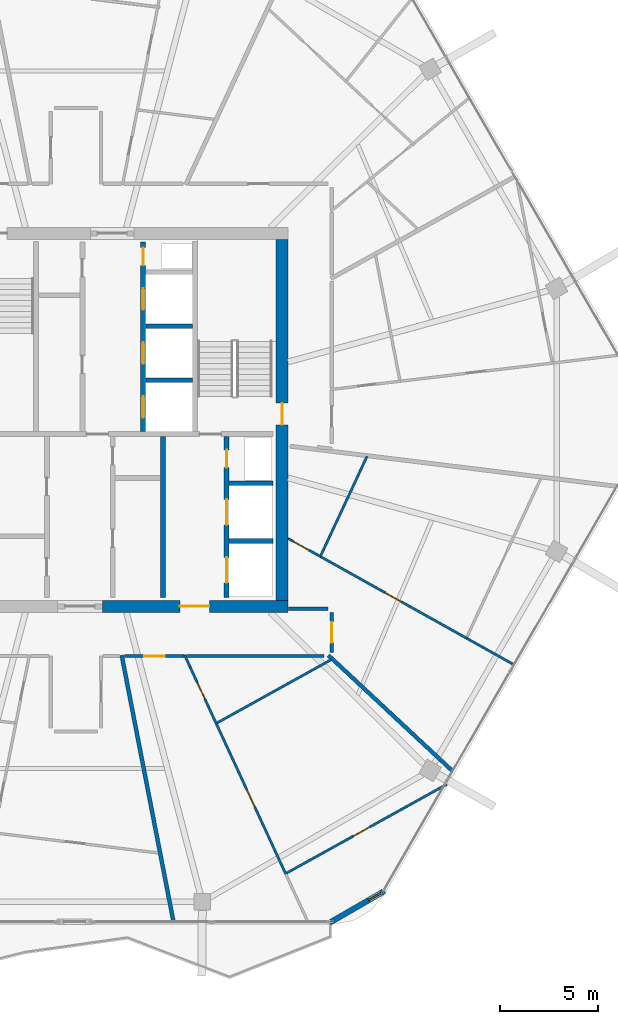
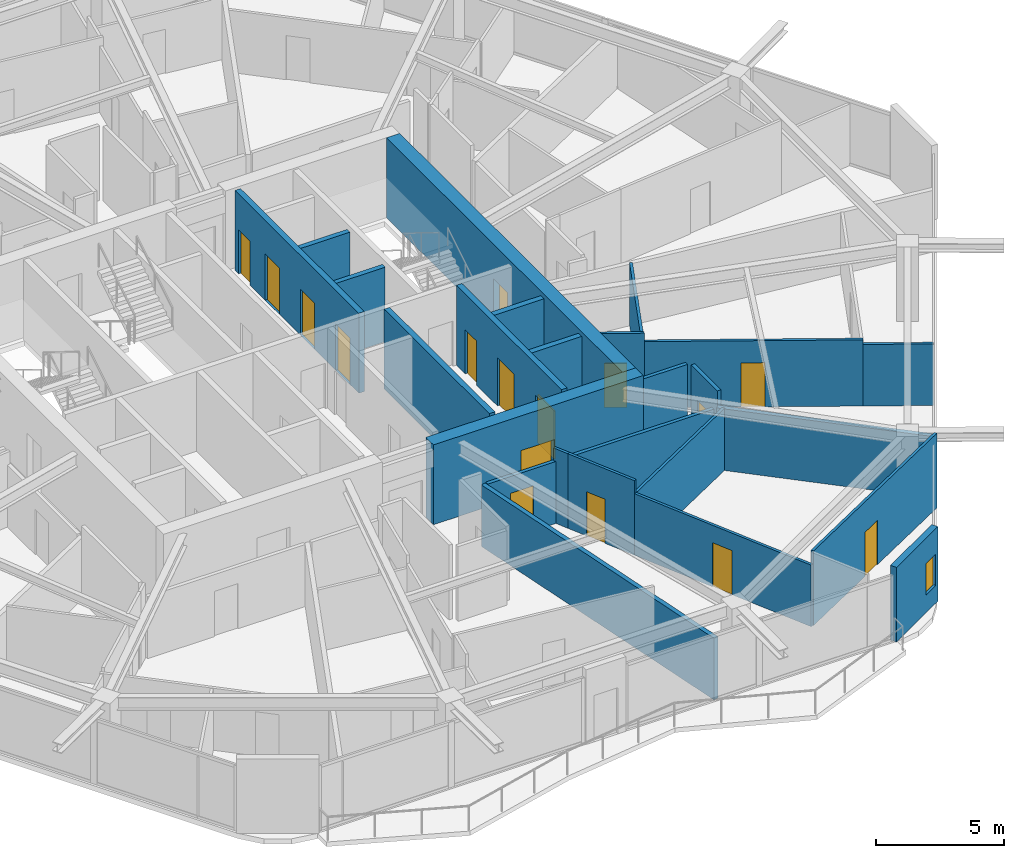
# One storey, part 21 of 27: 25 walls, 16 doors, 1 window, 17 openings.
"""IFC4 building model written with IfcOpenShell, lengths in metres."""

from ifc_helpers import new_model, si_unit, direction, frame, frame_2d, origin, place, context, subcontext, project, spatial, rectangle, extrude, material, layer, layer_set, type_object, element, fill, save


model = new_model("IFC4")

# Units and contexts
model_context = context("Model", 3, precision=1e-05, world=origin(), true_north=direction((0.0, 1.0)))
body_context = subcontext(model_context, "Body", "Model", "MODEL_VIEW")
ifc_project = project(units=[si_unit("LENGTHUNIT", "METRE"), si_unit("AREAUNIT", "SQUARE_METRE"), si_unit("VOLUMEUNIT", "CUBIC_METRE"), si_unit("PLANEANGLEUNIT", "RADIAN"), si_unit("MASSUNIT", "GRAM", prefix="KILO")], contexts=[model_context])

# Site, building, storey
site_placement = place(None, origin())
site = spatial("IfcSite", under=ifc_project, at=site_placement, CompositionType="ELEMENT")
building_placement = place(site_placement, origin())
building = spatial("IfcBuilding", under=site, at=building_placement, Name="Zuhravey Tower", CompositionType="ELEMENT")
storey_placement = place(building_placement, frame((0.0, 0.0, 265.39990234375)))
storey = spatial("IfcBuildingStorey", under=building, at=storey_placement, Name="L67", CompositionType="ELEMENT", Elevation=265.39990234375)

# Wall, opening, door
ifc_material_1 = material(Name="Concrete C50/60", Category="concrete")
ifc_layer_1 = layer(ifc_material_1, 0.60009765625)
ifc_layer_set_1 = layer_set([ifc_layer_1], Name="Concrete C50/60")
wall_type_1 = type_object("IfcWallType", Name="Core Shear Wall 600", PredefinedType="SHEAR", material=ifc_layer_set_1)
wall_1_placement = place(storey_placement, frame((37.35009765625, 22.5, 0.0), z_axis=(0.0, 0.0, 1.0), x_axis=(1.0, 0.0, 0.0)))
wall_1 = element("IfcWall", 1, at=wall_1_placement, inside=storey, type_object=wall_type_1, Name="L67 South-East Core Shear Wall CW60", PredefinedType="SHEAR", context=body_context, shape_type="SweptSolid", body=[
    extrude(rectangle(XDim=9.449951171875, YDim=0.60009765625, at=frame_2d((4.72509765625, 0.0))), origin(), (0.0, 0.0, 1.0), 3.800048828125),
])
opening_1_placement = place(wall_1_placement, frame((3.949951171875, 0.0, 0.0)))
opening_1 = element("IfcOpeningElement", 2, at=opening_1_placement, cuts=wall_1, Name="Opening FFD1", PredefinedType="OPENING", context=body_context, shape_type="SweptSolid", body=[
    extrude(rectangle(XDim=1.5, YDim=2.14990234375, at=frame_2d((0.75, 1.074951171875))), frame((0.0, 0.31201171875, 0.0), z_axis=(0.0, -1.0, 0.0), x_axis=(1.0, 0.0, 0.0)), (0.0, 0.0, 1.0), 0.6240234375),
])
ifc_material_2 = material(Name="Galvanised fire-rated steel leaf", Category="steel")
door_type_1 = type_object("IfcDoorType", Name="Firefighting Lobby Double Door 1500x2150", OperationType="DOUBLE_DOOR_SINGLE_SWING", PredefinedType="DOOR", material=ifc_material_2)
door_1_placement = place(opening_1_placement, origin())
door_1 = element("IfcDoor", 3, at=door_1_placement, inside=storey, type_object=door_type_1, Name="L67 Firefighting Lobby East Door", OperationType="DOUBLE_DOOR_SINGLE_SWING", OverallHeight=2.14990234375, OverallWidth=1.5, PredefinedType="DOOR", context=body_context, shape_type="SweptSolid", body=[
    extrude(rectangle(XDim=1.5, YDim=2.14990234375, at=frame_2d((0.75, 1.074951171875))), frame((0.0, 0.02490234375, 0.0), z_axis=(0.0, -1.0, 0.0), x_axis=(1.0, 0.0, 0.0)), (0.0, 0.0, 1.0), 0.050048828125),
])
fill(opening_1, door_1)

wall_2_placement = place(storey_placement, frame((46.5, 22.800048828125, 0.0), z_axis=(0.0, 0.0, 1.0), x_axis=(0.0, 1.0, 0.0)))
wall_2 = element("IfcWall", 4, at=wall_2_placement, inside=storey, type_object=wall_type_1, Name="L67 East Core Shear Wall CW60", PredefinedType="SHEAR", context=body_context, shape_type="SweptSolid", body=[
    extrude(rectangle(XDim=18.39990234375, YDim=0.60009765625, at=frame_2d((9.199951171875, 0.0))), origin(), (0.0, 0.0, 1.0), 3.800048828125),
])
opening_2_placement = place(wall_2_placement, frame((8.949951171875, 0.0, 0.0)))
opening_2 = element("IfcOpeningElement", 5, at=opening_2_placement, cuts=wall_2, Name="Opening STD1", PredefinedType="OPENING", context=body_context, shape_type="SweptSolid", body=[
    extrude(rectangle(XDim=1.10009765625, YDim=2.14990234375, at=frame_2d((0.550048828125, 1.074951171875))), frame((0.0, 0.31201171875, 0.0), z_axis=(0.0, -1.0, 0.0), x_axis=(1.0, 0.0, 0.0)), (0.0, 0.0, 1.0), 0.6240234375),
])
door_type_2 = type_object("IfcDoorType", Name="Protected Stair Fire Door 1100x2150", OperationType="NOTDEFINED", PredefinedType="USERDEFINED", material=ifc_material_2)
door_2_placement = place(opening_2_placement, origin())
door_2 = element("IfcDoor", 6, at=door_2_placement, inside=storey, type_object=door_type_2, Name="L67 Stair ST2 Door", ObjectType="EXITDOOR", OperationType="SINGLE_SWING_LEFT", OverallHeight=2.14990234375, OverallWidth=1.10009765625, PredefinedType="USERDEFINED", context=body_context, shape_type="SweptSolid", body=[
    extrude(rectangle(XDim=1.10009765625, YDim=2.14990234375, at=frame_2d((0.550048828125, 1.074951171875))), frame((0.0, 0.02490234375, 0.0), z_axis=(0.0, -1.0, 0.0), x_axis=(1.0, 0.0, 0.0)), (0.0, 0.0, 1.0), 0.050048828125),
])
fill(opening_2, door_2)

ifc_material_3 = material(Name="Gypsum fire-rated stud partition")
ifc_layer_2 = layer(ifc_material_3, 0.159912109375)
ifc_layer_set_2 = layer_set([ifc_layer_2], Name="Gypsum fire-rated stud partition")
wall_type_2 = type_object("IfcWallType", Name="Corridor Fire Partition 160", PredefinedType="PARTITIONING", material=ifc_layer_set_2)
wall_3_placement = place(storey_placement, frame((38.468017578125, 19.969970703125, 0.0), z_axis=(0.0, 0.0, 1.0), x_axis=(1.0, 0.0, 0.0)))
wall_3 = element("IfcWall", 7, at=wall_3_placement, inside=storey, type_object=wall_type_2, Name="L67 IW16 Partition 046", PredefinedType="PARTITIONING", context=body_context, shape_type="SweptSolid", body=[
    extrude(rectangle(XDim=3.068603515625, YDim=0.159912109375, at=frame_2d((1.5341796875, 0.0))), origin(), (0.0, 0.0, 1.0), 2.9501953125),
])
opening_3_placement = place(wall_3_placement, frame((1.00927734375, 0.0, 0.0)))
opening_3 = element("IfcOpeningElement", 8, at=opening_3_placement, cuts=wall_3, Name="Opening APD1", PredefinedType="OPENING", context=body_context, shape_type="SweptSolid", body=[
    extrude(rectangle(XDim=1.050048828125, YDim=2.14990234375, at=frame_2d((0.52490234375, 1.074951171875))), frame((0.0, 0.092041015625, 0.0), z_axis=(0.0, -1.0, 0.0), x_axis=(1.0, 0.0, 0.0)), (0.0, 0.0, 1.0), 0.183837890625),
])
ifc_material_4 = material(Name="Solid-core oak fire-rated leaf")
door_type_3 = type_object("IfcDoorType", Name="Apartment Entrance Fire Door 1050x2150", OperationType="NOTDEFINED", PredefinedType="DOOR", material=ifc_material_4)
door_3_placement = place(opening_3_placement, frame((1.050048828125, 0.0, 0.0), z_axis=(0.0, 0.0, 1.0), x_axis=(-1.0, 0.0, 0.0)))
door_3 = element("IfcDoor", 9, at=door_3_placement, inside=storey, type_object=door_type_3, Name="L67 Door 046.1", OperationType="SINGLE_SWING_LEFT", OverallHeight=2.14990234375, OverallWidth=1.050048828125, PredefinedType="DOOR", context=body_context, shape_type="SweptSolid", body=[
    extrude(rectangle(XDim=1.050048828125, YDim=2.14990234375, at=frame_2d((0.52490234375, 1.074951171875))), frame((0.0, 0.02490234375, 0.0), z_axis=(0.0, -1.0, 0.0), x_axis=(1.0, 0.0, 0.0)), (0.0, 0.0, 1.0), 0.050048828125),
])
fill(opening_3, door_3)

wall_4_placement = place(storey_placement, frame((49.030029296875, 20.14990234375, 0.0), z_axis=(0.0, 0.0, 1.0), x_axis=(0.0, 1.0, 0.0)))
wall_4 = element("IfcWall", 10, at=wall_4_placement, inside=storey, type_object=wall_type_2, Name="L67 IW16 Partition 050", PredefinedType="PARTITIONING", context=body_context, shape_type="SweptSolid", body=[
    extrude(rectangle(XDim=2.050048828125, YDim=0.159912109375, at=frame_2d((1.02490234375, 0.0))), origin(), (0.0, 0.0, 1.0), 3.550048828125),
])
opening_4_placement = place(wall_4_placement, frame((0.5, 0.0, 0.0)))
opening_4 = element("IfcOpeningElement", 11, at=opening_4_placement, cuts=wall_4, Name="Opening APD1", PredefinedType="OPENING", context=body_context, shape_type="SweptSolid", body=[
    extrude(rectangle(XDim=1.050048828125, YDim=2.14990234375, at=frame_2d((0.52490234375, 1.074951171875))), frame((0.0, 0.092041015625, 0.0), z_axis=(0.0, -1.0, 0.0), x_axis=(1.0, 0.0, 0.0)), (0.0, 0.0, 1.0), 0.183837890625),
])
door_4_placement = place(opening_4_placement, frame((1.050048828125, 0.0, 0.0), z_axis=(0.0, 0.0, 1.0), x_axis=(-1.0, 0.0, 0.0)))
door_4 = element("IfcDoor", 12, at=door_4_placement, inside=storey, type_object=door_type_3, Name="L67 Door 050.1", OperationType="SINGLE_SWING_LEFT", OverallHeight=2.14990234375, OverallWidth=1.050048828125, PredefinedType="DOOR", context=body_context, shape_type="SweptSolid", body=[
    extrude(rectangle(XDim=1.050048828125, YDim=2.14990234375, at=frame_2d((0.52490234375, 1.074951171875))), frame((0.0, 0.02490234375, 0.0), z_axis=(0.0, -1.0, 0.0), x_axis=(1.0, 0.0, 0.0)), (0.0, 0.0, 1.0), 0.050048828125),
])
fill(opening_4, door_4)

# Walls
wall_5_placement = place(storey_placement, frame((41.633544921875, 19.969970703125, 0.0), z_axis=(0.0, 0.0, 1.0), x_axis=(1.0, 0.0, 0.0)))
element("IfcWall", 13, at=wall_5_placement, inside=storey, type_object=wall_type_2, Name="L67 IW16 Partition 123", PredefinedType="PARTITIONING", context=body_context, shape_type="SweptSolid", body=[
    extrude(rectangle(XDim=7.014404296875, YDim=0.159912109375, at=frame_2d((3.50732421875, 0.0))), origin(), (0.0, 0.0, 1.0), 2.9501953125),
])
wall_6_placement = place(storey_placement, frame((48.85009765625, 22.3798828125, 0.0), z_axis=(0.0, 0.0, 1.0), x_axis=(-1.0, 0.0, 0.0)))
element("IfcWall", 14, at=wall_6_placement, inside=storey, type_object=wall_type_2, Name="L67 IW16 Partition 124", PredefinedType="PARTITIONING", context=body_context, shape_type="SweptSolid", body=[
    extrude(rectangle(XDim=2.030029296875, YDim=0.159912109375, at=frame_2d((1.01513671875, 0.0))), origin(), (0.0, 0.0, 1.0), 3.550048828125),
])

# Wall, opening, window
ifc_material_5 = material(Name="Precast concrete C40/50", Category="concrete")
ifc_layer_3 = layer(ifc_material_5, 0.280029296875)
ifc_layer_set_3 = layer_set([ifc_layer_3], Name="Precast concrete C40/50")
wall_type_3 = type_object("IfcWallType", Name="Crown Architectural Wall 280", PredefinedType="SOLIDWALL", material=ifc_layer_set_3)
wall_7_placement = place(storey_placement, frame((51.714599609375, 7.996337890625, 0.0), z_axis=(0.0, 0.0, 1.0), x_axis=(-0.866028773314, -0.499994163758, 0.0)))
wall_7 = element("IfcWall", 15, at=wall_7_placement, inside=storey, type_object=wall_type_3, Name="L67 Rounded Corner Closure Wall EW28-02", PredefinedType="SOLIDWALL", context=body_context, shape_type="SweptSolid", body=[
    extrude(rectangle(XDim=3.21484375, YDim=0.280029296875, at=frame_2d((1.607421875, 0.0))), origin(), (0.0, 0.0, 1.0), 3.550048828125),
])
opening_5_placement = place(wall_7_placement, frame((0.17578125, 0.0, 0.85009765625)))
opening_5 = element("IfcOpeningElement", 16, at=opening_5_placement, cuts=wall_7, Name="Opening WN5", PredefinedType="OPENING", context=body_context, shape_type="SweptSolid", body=[
    extrude(rectangle(XDim=0.75, YDim=1.5, at=frame_2d((0.375, 0.75))), frame((0.0, 0.152099609375, 0.0), z_axis=(0.0, -1.0, 0.0), x_axis=(1.0, 0.0, 0.0)), (0.0, 0.0, 1.0), 0.303955078125),
])
ifc_material_6 = material(Name="Thermally broken aluminium and triple low-E glass", Category="aluminium")
window_type = type_object("IfcWindowType", Name="Residential Corner Casement Window 750x1500", PartitioningType="SINGLE_PANEL", PredefinedType="WINDOW", material=ifc_material_6)
window_placement = place(opening_5_placement, origin())
window = element("IfcWindow", 17, at=window_placement, inside=storey, type_object=window_type, Name="L67 Corner Casement Window WN5-02.1", OverallHeight=1.5, OverallWidth=0.75, PartitioningType="SINGLE_PANEL", PredefinedType="WINDOW", context=body_context, shape_type="SweptSolid", body=[
    extrude(rectangle(XDim=0.75, YDim=1.5, at=frame_2d((0.375, 0.75))), frame((0.0, 0.030029296875, 0.0), z_axis=(0.0, -1.0, 0.0), x_axis=(1.0, 0.0, 0.0)), (0.0, 0.0, 1.0), 0.06005859375),
])
fill(opening_5, window)

# Wall, openings, doors
ifc_layer_4 = layer(ifc_material_1, 0.25)
ifc_layer_set_4 = layer_set([ifc_layer_4], Name="Concrete C50/60")
wall_type_4 = type_object("IfcWallType", Name="Firefighting Shaft & Stair Wall 250", PredefinedType="SOLIDWALL", material=ifc_layer_set_4)
wall_8_placement = place(storey_placement, frame((39.425048828125, 31.39990234375, 0.0), z_axis=(0.0, 0.0, 1.0), x_axis=(0.0, 1.0, 0.0)))
wall_8 = element("IfcWall", 18, at=wall_8_placement, inside=storey, type_object=wall_type_4, Name="L67 FW25 Shaft Wall 008", PredefinedType="SOLIDWALL", context=body_context, shape_type="SweptSolid", body=[
    extrude(rectangle(XDim=9.650146484375, YDim=0.25, at=frame_2d((4.8251953125, 0.0))), origin(), (0.0, 0.0, 1.0), 3.800048828125),
])
opening_6_placement = place(wall_8_placement, frame((0.699951171875, 0.0, 0.0)))
opening_6 = element("IfcOpeningElement", 19, at=opening_6_placement, cuts=wall_8, Name="Opening LD1", PredefinedType="OPENING", context=body_context, shape_type="SweptSolid", body=[
    extrude(rectangle(XDim=1.10009765625, YDim=2.199951171875, at=frame_2d((0.550048828125, 1.10009765625))), frame((0.0, 0.136962890625, 0.0), z_axis=(0.0, -1.0, 0.0), x_axis=(1.0, 0.0, 0.0)), (0.0, 0.0, 1.0), 0.27392578125),
])
opening_7_placement = place(wall_8_placement, frame((3.449951171875, 0.0, 0.0)))
opening_7 = element("IfcOpeningElement", 20, at=opening_7_placement, cuts=wall_8, Name="Opening LD1", PredefinedType="OPENING", context=body_context, shape_type="SweptSolid", body=[
    extrude(rectangle(XDim=1.10009765625, YDim=2.199951171875, at=frame_2d((0.550048828125, 1.10009765625))), frame((0.0, 0.136962890625, 0.0), z_axis=(0.0, -1.0, 0.0), x_axis=(1.0, 0.0, 0.0)), (0.0, 0.0, 1.0), 0.27392578125),
])
opening_8_placement = place(wall_8_placement, frame((6.199951171875, 0.0, 0.0)))
opening_8 = element("IfcOpeningElement", 21, at=opening_8_placement, cuts=wall_8, Name="Opening LD1", PredefinedType="OPENING", context=body_context, shape_type="SweptSolid", body=[
    extrude(rectangle(XDim=1.10009765625, YDim=2.199951171875, at=frame_2d((0.550048828125, 1.10009765625))), frame((0.0, 0.136962890625, 0.0), z_axis=(0.0, -1.0, 0.0), x_axis=(1.0, 0.0, 0.0)), (0.0, 0.0, 1.0), 0.27392578125),
])
opening_9_placement = place(wall_8_placement, frame((8.469970703125, 0.0, 0.0)))
opening_9 = element("IfcOpeningElement", 22, at=opening_9_placement, cuts=wall_8, Name="Opening RSD1", PredefinedType="OPENING", context=body_context, shape_type="SweptSolid", body=[
    extrude(rectangle(XDim=0.89990234375, YDim=2.10009765625, at=frame_2d((0.449951171875, 1.050048828125))), frame((0.0, 0.136962890625, 0.0), z_axis=(0.0, -1.0, 0.0), x_axis=(1.0, 0.0, 0.0)), (0.0, 0.0, 1.0), 0.27392578125),
])
ifc_material_7 = material(Name="Brushed stainless steel", Category="steel")
door_type_4 = type_object("IfcDoorType", Name="Lift Landing Sliding Door 1100x2200", OperationType="DOUBLE_DOOR_SLIDING", PredefinedType="DOOR", material=ifc_material_7)
door_5_placement = place(opening_6_placement, origin())
door_5 = element("IfcDoor", 23, at=door_5_placement, inside=storey, type_object=door_type_4, Name="L67 Lift PL7 Landing Door", OperationType="DOUBLE_DOOR_SLIDING", OverallHeight=2.199951171875, OverallWidth=1.10009765625, PredefinedType="DOOR", context=body_context, shape_type="SweptSolid", body=[
    extrude(rectangle(XDim=1.10009765625, YDim=2.199951171875, at=frame_2d((0.550048828125, 1.10009765625))), frame((0.0, 0.02490234375, 0.0), z_axis=(0.0, -1.0, 0.0), x_axis=(1.0, 0.0, 0.0)), (0.0, 0.0, 1.0), 0.050048828125),
])
fill(opening_6, door_5)
door_6_placement = place(opening_7_placement, origin())
door_6 = element("IfcDoor", 24, at=door_6_placement, inside=storey, type_object=door_type_4, Name="L67 Lift PL8 Landing Door", OperationType="DOUBLE_DOOR_SLIDING", OverallHeight=2.199951171875, OverallWidth=1.10009765625, PredefinedType="DOOR", context=body_context, shape_type="SweptSolid", body=[
    extrude(rectangle(XDim=1.10009765625, YDim=2.199951171875, at=frame_2d((0.550048828125, 1.10009765625))), frame((0.0, 0.02490234375, 0.0), z_axis=(0.0, -1.0, 0.0), x_axis=(1.0, 0.0, 0.0)), (0.0, 0.0, 1.0), 0.050048828125),
])
fill(opening_7, door_6)
door_7_placement = place(opening_8_placement, origin())
door_7 = element("IfcDoor", 25, at=door_7_placement, inside=storey, type_object=door_type_4, Name="L67 Lift PL9 Landing Door", OperationType="DOUBLE_DOOR_SLIDING", OverallHeight=2.199951171875, OverallWidth=1.10009765625, PredefinedType="DOOR", context=body_context, shape_type="SweptSolid", body=[
    extrude(rectangle(XDim=1.10009765625, YDim=2.199951171875, at=frame_2d((0.550048828125, 1.10009765625))), frame((0.0, 0.02490234375, 0.0), z_axis=(0.0, -1.0, 0.0), x_axis=(1.0, 0.0, 0.0)), (0.0, 0.0, 1.0), 0.050048828125),
])
fill(opening_8, door_7)
ifc_material_8 = material(Name="Galvanised fire-rated steel access leaf", Category="steel")
door_type_5 = type_object("IfcDoorType", Name="Riser & Shaft Access Fire Door 900x2100", OperationType="NOTDEFINED", PredefinedType="DOOR", material=ifc_material_8)
door_8_placement = place(opening_9_placement, origin())
door_8 = element("IfcDoor", 26, at=door_8_placement, inside=storey, type_object=door_type_5, Name="L67 North Riser Door", OperationType="SINGLE_SWING_RIGHT", OverallHeight=2.10009765625, OverallWidth=0.89990234375, PredefinedType="DOOR", context=body_context, shape_type="SweptSolid", body=[
    extrude(rectangle(XDim=0.89990234375, YDim=2.10009765625, at=frame_2d((0.449951171875, 1.050048828125))), frame((0.0, 0.02490234375, 0.0), z_axis=(0.0, -1.0, 0.0), x_axis=(1.0, 0.0, 0.0)), (0.0, 0.0, 1.0), 0.050048828125),
])
fill(opening_9, door_8)

# Walls
wall_9_placement = place(storey_placement, frame((40.425048828125, 22.949951171875, 0.0), z_axis=(0.0, 0.0, 1.0), x_axis=(0.0, 1.0, 0.0)))
element("IfcWall", 27, at=wall_9_placement, inside=storey, type_object=wall_type_4, Name="L67 FW25 Shaft Wall 017", PredefinedType="SOLIDWALL", context=body_context, shape_type="SweptSolid", body=[
    extrude(rectangle(XDim=8.199951171875, YDim=0.25, at=frame_2d((4.10009765625, 0.0))), origin(), (0.0, 0.0, 1.0), 3.800048828125),
])
for number, where, z_axis, x_axis, name in (
    (28, (43.800048828125, 25.824951171875, 0.0), (0.0, 0.0, 1.0), (1.0, 0.0, 0.0), "L67 FW25 Shaft Wall 018"),
    (29, (43.800048828125, 28.77490234375, 0.0), (0.0, 0.0, 1.0), (1.0, 0.0, 0.0), "L67 FW25 Shaft Wall 019"),
):
    element("IfcWall", number, at=place(storey_placement, frame(where, z_axis=z_axis, x_axis=x_axis)), inside=storey, type_object=wall_type_4, Name=name, PredefinedType="SOLIDWALL", context=body_context, shape_type="SweptSolid", body=[
        extrude(rectangle(XDim=2.25, YDim=0.25, at=frame_2d((1.125, 0.0))), origin(), (0.0, 0.0, 1.0), 3.800048828125),
    ])

# Wall, openings, doors
wall_10_placement = place(storey_placement, frame((43.675048828125, 22.949951171875, 0.0), z_axis=(0.0, 0.0, 1.0), x_axis=(0.0, 1.0, 0.0)))
wall_10 = element("IfcWall", 30, at=wall_10_placement, inside=storey, type_object=wall_type_4, Name="L67 FW25 Shaft Wall 020", PredefinedType="SOLIDWALL", context=body_context, shape_type="SweptSolid", body=[
    extrude(rectangle(XDim=8.199951171875, YDim=0.25, at=frame_2d((4.10009765625, 0.0))), origin(), (0.0, 0.0, 1.0), 3.800048828125),
])
opening_10_placement = place(wall_10_placement, frame((0.75, 0.0, 0.0)))
opening_10 = element("IfcOpeningElement", 31, at=opening_10_placement, cuts=wall_10, Name="Opening LD2", PredefinedType="OPENING", context=body_context, shape_type="SweptSolid", body=[
    extrude(rectangle(XDim=1.300048828125, YDim=2.300048828125, at=frame_2d((0.64990234375, 1.14990234375))), frame((0.0, 0.136962890625, 0.0), z_axis=(0.0, -1.0, 0.0), x_axis=(1.0, 0.0, 0.0)), (0.0, 0.0, 1.0), 0.27392578125),
])
opening_11_placement = place(wall_10_placement, frame((3.699951171875, 0.0, 0.0)))
opening_11 = element("IfcOpeningElement", 32, at=opening_11_placement, cuts=wall_10, Name="Opening LD2", PredefinedType="OPENING", context=body_context, shape_type="SweptSolid", body=[
    extrude(rectangle(XDim=1.300048828125, YDim=2.300048828125, at=frame_2d((0.64990234375, 1.14990234375))), frame((0.0, 0.136962890625, 0.0), z_axis=(0.0, -1.0, 0.0), x_axis=(1.0, 0.0, 0.0)), (0.0, 0.0, 1.0), 0.27392578125),
])
opening_12_placement = place(wall_10_placement, frame((6.6201171875, 0.0, 0.0)))
opening_12 = element("IfcOpeningElement", 33, at=opening_12_placement, cuts=wall_10, Name="Opening RSD1", PredefinedType="OPENING", context=body_context, shape_type="SweptSolid", body=[
    extrude(rectangle(XDim=0.89990234375, YDim=2.10009765625, at=frame_2d((0.449951171875, 1.050048828125))), frame((0.0, 0.136962890625, 0.0), z_axis=(0.0, -1.0, 0.0), x_axis=(1.0, 0.0, 0.0)), (0.0, 0.0, 1.0), 0.27392578125),
])
door_type_6 = type_object("IfcDoorType", Name="Freight & Stretcher Lift Sliding Door 1300x2300", OperationType="DOUBLE_DOOR_SLIDING", PredefinedType="DOOR", material=ifc_material_7)
door_9_placement = place(opening_10_placement, origin())
door_9 = element("IfcDoor", 34, at=door_9_placement, inside=storey, type_object=door_type_6, Name="L67 Lift FF2 Landing Door", OperationType="DOUBLE_DOOR_SLIDING", OverallHeight=2.300048828125, OverallWidth=1.300048828125, PredefinedType="DOOR", context=body_context, shape_type="SweptSolid", body=[
    extrude(rectangle(XDim=1.300048828125, YDim=2.300048828125, at=frame_2d((0.64990234375, 1.14990234375))), frame((0.0, 0.02490234375, 0.0), z_axis=(0.0, -1.0, 0.0), x_axis=(1.0, 0.0, 0.0)), (0.0, 0.0, 1.0), 0.050048828125),
])
fill(opening_10, door_9)
door_10_placement = place(opening_11_placement, origin())
door_10 = element("IfcDoor", 35, at=door_10_placement, inside=storey, type_object=door_type_6, Name="L67 Lift SV1 Landing Door", OperationType="DOUBLE_DOOR_SLIDING", OverallHeight=2.300048828125, OverallWidth=1.300048828125, PredefinedType="DOOR", context=body_context, shape_type="SweptSolid", body=[
    extrude(rectangle(XDim=1.300048828125, YDim=2.300048828125, at=frame_2d((0.64990234375, 1.14990234375))), frame((0.0, 0.02490234375, 0.0), z_axis=(0.0, -1.0, 0.0), x_axis=(1.0, 0.0, 0.0)), (0.0, 0.0, 1.0), 0.050048828125),
])
fill(opening_11, door_10)
door_11_placement = place(opening_12_placement, origin())
door_11 = element("IfcDoor", 36, at=door_11_placement, inside=storey, type_object=door_type_5, Name="L67 Plumbing Riser Door", OperationType="SINGLE_SWING_LEFT", OverallHeight=2.10009765625, OverallWidth=0.89990234375, PredefinedType="DOOR", context=body_context, shape_type="SweptSolid", body=[
    extrude(rectangle(XDim=0.89990234375, YDim=2.10009765625, at=frame_2d((0.449951171875, 1.050048828125))), frame((0.0, 0.02490234375, 0.0), z_axis=(0.0, -1.0, 0.0), x_axis=(1.0, 0.0, 0.0)), (0.0, 0.0, 1.0), 0.050048828125),
])
fill(opening_12, door_11)

# Walls
ifc_material_9 = material(Name="Gypsum double-stud party assembly")
ifc_layer_5 = layer(ifc_material_9, 0.199951171875)
ifc_layer_set_5 = layer_set([ifc_layer_5], Name="Gypsum double-stud party assembly")
wall_type_5 = type_object("IfcWallType", Name="Inter-Tenancy Party Wall 200", PredefinedType="PARTITIONING", material=ifc_layer_set_5)
wall_11_placement = place(storey_placement, frame((38.33056640625, 20.010009765625, 0.0), z_axis=(0.0, 0.0, 1.0), x_axis=(0.190806334077, -0.981627700748, 0.0)))
element("IfcWall", 37, at=wall_11_placement, inside=storey, type_object=wall_type_5, Name="L67 IW20 Partition 090", PredefinedType="PARTITIONING", context=body_context, shape_type="SweptSolid", body=[
    extrude(rectangle(XDim=13.827880859375, YDim=0.199951171875, at=frame_2d((6.9140625, 0.0))), origin(), (0.0, 0.0, 1.0), 2.93017578125),
])
wall_12_placement = place(storey_placement, frame((48.857421875, 20.010498046875, 0.0), z_axis=(0.0, 0.0, 1.0), x_axis=(0.731342217011, -0.682010675589, 0.0)))
element("IfcWall", 38, at=wall_12_placement, inside=storey, type_object=wall_type_5, Name="L67 IW20 Partition 094", PredefinedType="PARTITIONING", context=body_context, shape_type="SweptSolid", body=[
    extrude(rectangle(XDim=8.65576171875, YDim=0.199951171875, at=frame_2d((4.327880859375, 0.0))), origin(), (0.0, 0.0, 1.0), 2.93017578125),
])
ifc_material_10 = material(Name="Gypsum acoustic stud assembly")
ifc_layer_6 = layer(ifc_material_10, 0.219970703125)
ifc_layer_set_6 = layer_set([ifc_layer_6], Name="Gypsum acoustic stud assembly")
wall_type_6 = type_object("IfcWallType", Name="School Acoustic Compartment Wall 220", PredefinedType="PARTITIONING", material=ifc_layer_set_6)
for number, where, z_axis, x_axis, name in (
    (39, (39.55810546875, 34.02490234375, 0.0), (0.0, 0.0, 1.0), (1.0, 0.0, 0.0), "L67 IW22 Partition 071"),
    (40, (39.55810546875, 36.77490234375, 0.0), (0.0, 0.0, 1.0), (1.0, 0.0, 0.0), "L67 IW22 Partition 072"),
):
    element("IfcWall", number, at=place(storey_placement, frame(where, z_axis=z_axis, x_axis=x_axis)), inside=storey, type_object=wall_type_6, Name=name, PredefinedType="PARTITIONING", context=body_context, shape_type="SweptSolid", body=[
        extrude(rectangle(XDim=2.3837890625, YDim=0.219970703125, at=frame_2d((1.19189453125, 0.0))), origin(), (0.0, 0.0, 1.0), 3.550048828125),
    ])

# Wall, opening, door
ifc_material_11 = material(Name="Gypsum metal-stud partition")
ifc_layer_7 = layer(ifc_material_11, 0.1201171875)
ifc_layer_set_7 = layer_set([ifc_layer_7], Name="Gypsum metal-stud partition")
wall_type_7 = type_object("IfcWallType", Name="Unit Internal Partition 120", PredefinedType="PARTITIONING", material=ifc_layer_set_7)
wall_13_placement = place(storey_placement, frame((41.822021484375, 19.39990234375, 0.0), z_axis=(0.0, 0.0, 1.0), x_axis=(0.419438119549, -0.907783930167, 0.0)))
wall_13 = element("IfcWall", 41, at=wall_13_placement, inside=storey, type_object=wall_type_7, Name="L67 IW12 Partition 043", PredefinedType="PARTITIONING", context=body_context, shape_type="SweptSolid", body=[
    extrude(rectangle(XDim=3.177978515625, YDim=0.1201171875, at=frame_2d((1.5888671875, 0.0))), origin(), (0.0, 0.0, 1.0), 3.550048828125),
])
opening_13_placement = place(wall_13_placement, frame((0.884765625, 0.0, 0.0)))
opening_13 = element("IfcOpeningElement", 42, at=opening_13_placement, cuts=wall_13, Name="Opening WCD1", PredefinedType="OPENING", context=body_context, shape_type="SweptSolid", body=[
    extrude(rectangle(XDim=0.89990234375, YDim=2.10009765625, at=frame_2d((0.449951171875, 1.050048828125))), frame((0.0, 0.072021484375, 0.0), z_axis=(0.0, -1.0, 0.0), x_axis=(1.0, 0.0, 0.0)), (0.0, 0.0, 1.0), 0.14404296875),
])
ifc_material_12 = material(Name="Moisture-resistant timber leaf", Category="wood")
door_type_7 = type_object("IfcDoorType", Name="Bathroom & WC Internal Door 900x2100", OperationType="NOTDEFINED", PredefinedType="DOOR", material=ifc_material_12)
door_12_placement = place(opening_13_placement, origin())
door_12 = element("IfcDoor", 43, at=door_12_placement, inside=storey, type_object=door_type_7, Name="Apartment L67-05 Bathroom Door", OperationType="SINGLE_SWING_RIGHT", OverallHeight=2.10009765625, OverallWidth=0.89990234375, PredefinedType="DOOR", context=body_context, shape_type="SweptSolid", body=[
    extrude(rectangle(XDim=0.89990234375, YDim=2.10009765625, at=frame_2d((0.449951171875, 1.050048828125))), frame((0.0, 0.02490234375, 0.0), z_axis=(0.0, -1.0, 0.0), x_axis=(1.0, 0.0, 0.0)), (0.0, 0.0, 1.0), 0.050048828125),
])
fill(opening_13, door_12)

wall_14_placement = place(storey_placement, frame((43.155029296875, 16.514892578125, 0.0), z_axis=(0.0, 0.0, 1.0), x_axis=(0.419453006553, -0.907777051535, 0.0)))
wall_14 = element("IfcWall", 44, at=wall_14_placement, inside=storey, type_object=wall_type_7, Name="L67 IW12 Partition 044", PredefinedType="PARTITIONING", context=body_context, shape_type="SweptSolid", body=[
    extrude(rectangle(XDim=8.4296875, YDim=0.1201171875, at=frame_2d((4.21484375, 0.0))), origin(), (0.0, 0.0, 1.0), 2.93017578125),
])
opening_14_placement = place(wall_14_placement, frame((3.71484375, 0.0, 0.0)))
opening_14 = element("IfcOpeningElement", 45, at=opening_14_placement, cuts=wall_14, Name="Opening IND1", PredefinedType="OPENING", context=body_context, shape_type="SweptSolid", body=[
    extrude(rectangle(XDim=0.949951171875, YDim=2.10009765625, at=frame_2d((0.47509765625, 1.050048828125))), frame((0.0, 0.072021484375, 0.0), z_axis=(0.0, -1.0, 0.0), x_axis=(1.0, 0.0, 0.0)), (0.0, 0.0, 1.0), 0.14404296875),
])
ifc_material_13 = material(Name="Painted engineered timber leaf", Category="wood")
door_type_8 = type_object("IfcDoorType", Name="Internal Room & Bedroom Door 950x2100", OperationType="NOTDEFINED", PredefinedType="DOOR", material=ifc_material_13)
door_13_placement = place(opening_14_placement, origin())
door_13 = element("IfcDoor", 46, at=door_13_placement, inside=storey, type_object=door_type_8, Name="Apartment L67-05 Home Office Door", OperationType="SINGLE_SWING_LEFT", OverallHeight=2.10009765625, OverallWidth=0.949951171875, PredefinedType="DOOR", context=body_context, shape_type="SweptSolid", body=[
    extrude(rectangle(XDim=0.949951171875, YDim=2.10009765625, at=frame_2d((0.47509765625, 1.050048828125))), frame((0.0, 0.02490234375, 0.0), z_axis=(0.0, -1.0, 0.0), x_axis=(1.0, 0.0, 0.0)), (0.0, 0.0, 1.0), 0.050048828125),
])
fill(opening_14, door_13)

wall_15_placement = place(storey_placement, frame((46.739990234375, 8.918212890625, 0.0), z_axis=(0.0, 0.0, 1.0), x_axis=(0.874617638419, 0.484813352298, 0.0)))
wall_15 = element("IfcWall", 47, at=wall_15_placement, inside=storey, type_object=wall_type_7, Name="L67 IW12 Partition 045", PredefinedType="PARTITIONING", context=body_context, shape_type="SweptSolid", body=[
    extrude(rectangle(XDim=9.32275390625, YDim=0.1201171875, at=frame_2d((4.661376953125, 0.0))), origin(), (0.0, 0.0, 1.0), 3.550048828125),
])
opening_15_placement = place(wall_15_placement, frame((3.882080078125, 0.0, 0.0)))
opening_15 = element("IfcOpeningElement", 48, at=opening_15_placement, cuts=wall_15, Name="Opening IND1", PredefinedType="OPENING", context=body_context, shape_type="SweptSolid", body=[
    extrude(rectangle(XDim=0.949951171875, YDim=2.10009765625, at=frame_2d((0.47509765625, 1.050048828125))), frame((0.0, 0.072021484375, 0.0), z_axis=(0.0, -1.0, 0.0), x_axis=(1.0, 0.0, 0.0)), (0.0, 0.0, 1.0), 0.14404296875),
])
door_14_placement = place(opening_15_placement, frame((0.949951171875, 0.0, 0.0), z_axis=(0.0, 0.0, 1.0), x_axis=(-1.0, 0.0, 0.0)))
door_14 = element("IfcDoor", 49, at=door_14_placement, inside=storey, type_object=door_type_8, Name="Apartment L67-05 Bedroom 1 Door", OperationType="SINGLE_SWING_RIGHT", OverallHeight=2.10009765625, OverallWidth=0.949951171875, PredefinedType="DOOR", context=body_context, shape_type="SweptSolid", body=[
    extrude(rectangle(XDim=0.949951171875, YDim=2.10009765625, at=frame_2d((0.47509765625, 1.050048828125))), frame((0.0, 0.02490234375, 0.0), z_axis=(0.0, -1.0, 0.0), x_axis=(1.0, 0.0, 0.0)), (0.0, 0.0, 1.0), 0.050048828125),
])
fill(opening_15, door_14)

wall_16_placement = place(storey_placement, frame((46.80810546875, 25.959716796875, 0.0), z_axis=(0.0, 0.0, 1.0), x_axis=(0.872879297485, -0.487936196672, 0.0)))
wall_16 = element("IfcWall", 50, at=wall_16_placement, inside=storey, type_object=wall_type_7, Name="L67 IW12 Partition 047", PredefinedType="PARTITIONING", context=body_context, shape_type="SweptSolid", body=[
    extrude(rectangle(XDim=1.90576171875, YDim=0.1201171875, at=frame_2d((0.952880859375, 0.0))), origin(), (0.0, 0.0, 1.0), 3.550048828125),
])
opening_16_placement = place(wall_16_placement, frame((0.32861328125, 0.0, 0.0)))
opening_16 = element("IfcOpeningElement", 51, at=opening_16_placement, cuts=wall_16, Name="Opening WCD1", PredefinedType="OPENING", context=body_context, shape_type="SweptSolid", body=[
    extrude(rectangle(XDim=0.89990234375, YDim=2.10009765625, at=frame_2d((0.449951171875, 1.050048828125))), frame((0.0, 0.072021484375, 0.0), z_axis=(0.0, -1.0, 0.0), x_axis=(1.0, 0.0, 0.0)), (0.0, 0.0, 1.0), 0.14404296875),
])
door_15_placement = place(opening_16_placement, origin())
door_15 = element("IfcDoor", 52, at=door_15_placement, inside=storey, type_object=door_type_7, Name="Apartment L67-06 Bathroom Door", OperationType="SINGLE_SWING_RIGHT", OverallHeight=2.10009765625, OverallWidth=0.89990234375, PredefinedType="DOOR", context=body_context, shape_type="SweptSolid", body=[
    extrude(rectangle(XDim=0.89990234375, YDim=2.10009765625, at=frame_2d((0.449951171875, 1.050048828125))), frame((0.0, 0.02490234375, 0.0), z_axis=(0.0, -1.0, 0.0), x_axis=(1.0, 0.0, 0.0)), (0.0, 0.0, 1.0), 0.050048828125),
])
fill(opening_16, door_15)

wall_17_placement = place(storey_placement, frame((48.4716796875, 25.02978515625, 0.0), z_axis=(0.0, 0.0, 1.0), x_axis=(0.872916935633, -0.487868858901, 0.0)))
wall_17 = element("IfcWall", 53, at=wall_17_placement, inside=storey, type_object=wall_type_7, Name="L67 IW12 Partition 048", PredefinedType="PARTITIONING", context=body_context, shape_type="SweptSolid", body=[
    extrude(rectangle(XDim=8.524169921875, YDim=0.1201171875, at=frame_2d((4.26220703125, 0.0))), origin(), (0.0, 0.0, 1.0), 3.150146484375),
])
opening_17_placement = place(wall_17_placement, frame((3.761962890625, 0.0, 0.0)))
opening_17 = element("IfcOpeningElement", 54, at=opening_17_placement, cuts=wall_17, Name="Opening IND1", PredefinedType="OPENING", context=body_context, shape_type="SweptSolid", body=[
    extrude(rectangle(XDim=0.949951171875, YDim=2.10009765625, at=frame_2d((0.47509765625, 1.050048828125))), frame((0.0, 0.072021484375, 0.0), z_axis=(0.0, -1.0, 0.0), x_axis=(1.0, 0.0, 0.0)), (0.0, 0.0, 1.0), 0.14404296875),
])
door_16_placement = place(opening_17_placement, origin())
door_16 = element("IfcDoor", 55, at=door_16_placement, inside=storey, type_object=door_type_8, Name="Apartment L67-06 Home Office Door", OperationType="SINGLE_SWING_LEFT", OverallHeight=2.10009765625, OverallWidth=0.949951171875, PredefinedType="DOOR", context=body_context, shape_type="SweptSolid", body=[
    extrude(rectangle(XDim=0.949951171875, YDim=2.10009765625, at=frame_2d((0.47509765625, 1.050048828125))), frame((0.0, 0.02490234375, 0.0), z_axis=(0.0, -1.0, 0.0), x_axis=(1.0, 0.0, 0.0)), (0.0, 0.0, 1.0), 0.050048828125),
])
fill(opening_17, door_16)

# Walls
wall_18_placement = place(storey_placement, frame((41.538818359375, 20.0126953125, 0.0), z_axis=(0.0, 0.0, 1.0), x_axis=(0.419516805105, -0.907747569666, 0.0)))
element("IfcWall", 56, at=wall_18_placement, inside=storey, type_object=wall_type_7, Name="L67 IW12 Partition 091", PredefinedType="PARTITIONING", context=body_context, shape_type="SweptSolid", body=[
    extrude(rectangle(XDim=0.675048828125, YDim=0.1201171875, at=frame_2d((0.33740234375, 0.0))), origin(), (0.0, 0.0, 1.0), 3.550048828125),
])
wall_19_placement = place(storey_placement, frame((43.2041015625, 16.57080078125, 0.0), z_axis=(0.0, 0.0, 1.0), x_axis=(0.874626847506, 0.48479673846, 0.0)))
element("IfcWall", 57, at=wall_19_placement, inside=storey, type_object=wall_type_7, Name="L67 IW12 Partition 093", PredefinedType="PARTITIONING", context=body_context, shape_type="SweptSolid", body=[
    extrude(rectangle(XDim=6.640380859375, YDim=0.1201171875, at=frame_2d((3.3203125, 0.0))), origin(), (0.0, 0.0, 1.0), 2.9501953125),
])
wall_20_placement = place(storey_placement, frame((55.91259765625, 20.87109375, 0.0), z_axis=(0.0, 0.0, 1.0), x_axis=(0.872940157906, -0.487827306242, 0.0)))
element("IfcWall", 58, at=wall_20_placement, inside=storey, type_object=wall_type_7, Name="L67 IW12 Partition 095", PredefinedType="PARTITIONING", context=body_context, shape_type="SweptSolid", body=[
    extrude(rectangle(XDim=2.759521484375, YDim=0.1201171875, at=frame_2d((1.3798828125, 0.0))), origin(), (0.0, 0.0, 1.0), 2.93017578125),
])
wall_21_placement = place(storey_placement, frame((48.478759765625, 25.103759765625, 0.0), z_axis=(0.0, 0.0, 1.0), x_axis=(0.422623708153, 0.906305247313, 0.0)))
element("IfcWall", 59, at=wall_21_placement, inside=storey, type_object=wall_type_7, Name="L67 IW12 Partition 096", PredefinedType="PARTITIONING", context=body_context, shape_type="SweptSolid", body=[
    extrude(rectangle(XDim=5.56591796875, YDim=0.1201171875, at=frame_2d((2.782958984375, 0.0))), origin(), (0.0, 0.0, 1.0), 2.9501953125),
])

save(model, "model.ifc")
